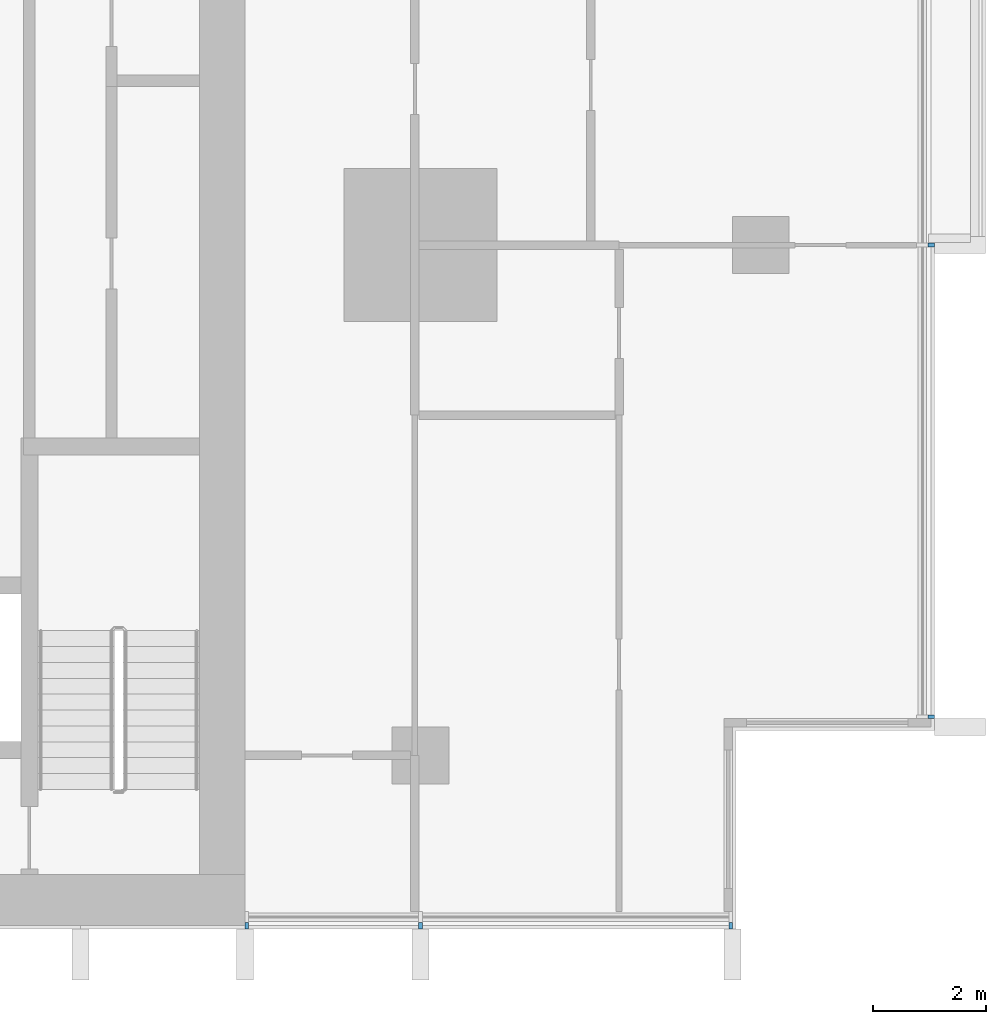
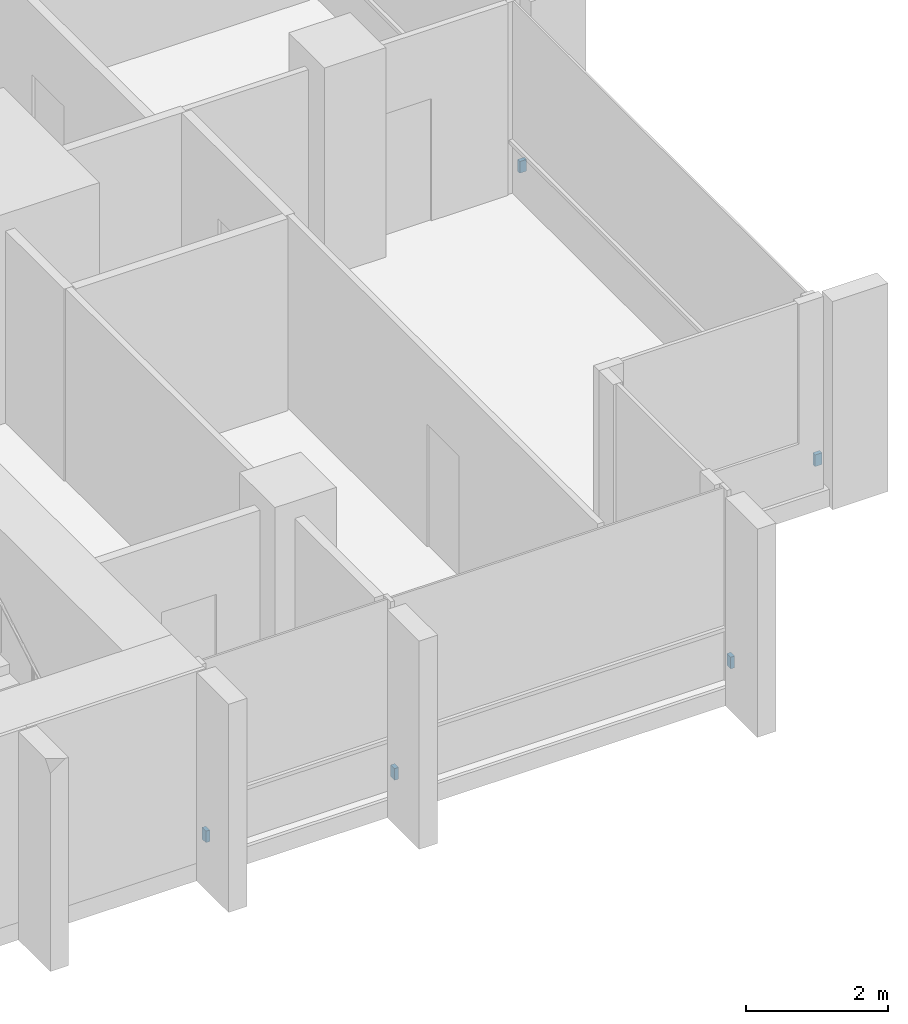
# One storey, part 14 of 17: 5 discrete accessories.
"""IFC4 building model written with IfcOpenShell, lengths in metres."""

from ifc_helpers import new_model, si_unit, direction, frame, origin, origin_2d, place, context, subcontext, project, spatial, rectangle, extrude, material, type_object, element, save


model = new_model("IFC4")

# Units and contexts
model_context = context("Model", 3, precision=1e-05, world=origin(), true_north=direction((0.0, 1.0)))
body_context = subcontext(model_context, "Body", "Model", "MODEL_VIEW")
ifc_project = project(units=[si_unit("LENGTHUNIT", "METRE"), si_unit("AREAUNIT", "SQUARE_METRE"), si_unit("VOLUMEUNIT", "CUBIC_METRE"), si_unit("PLANEANGLEUNIT", "RADIAN"), si_unit("MASSUNIT", "GRAM", prefix="KILO")], contexts=[model_context])

# Site, building, storey
site_placement = place(None, origin())
site = spatial("IfcSite", under=ifc_project, at=site_placement, CompositionType="ELEMENT")
building_placement = place(site_placement, origin())
building = spatial("IfcBuilding", under=site, at=building_placement, Name="Finial Court Residences", CompositionType="ELEMENT")
storey_placement = place(building_placement, frame((0.0, 0.0, 99.10009765625)))
storey = spatial("IfcBuildingStorey", under=building, at=storey_placement, Name="L24", CompositionType="ELEMENT", Elevation=99.10009765625)

# Discrete accessories
ifc_material = material(Name="Stainless steel 316", Category="steel")
discrete_accessory_type = type_object("IfcDiscreteAccessoryType", Name="Fin bracket, stainless steel 65 x 110 x 200", PredefinedType="BRACKET", material=ifc_material)
for number, where, z_axis, x_axis, name in (
    (1, (25.5048828125, -21.8173828125, 0.2998046875), (0.0, 0.0, 1.0), (1.0, 0.0, 0.0), "E-L24-FIN-E9-BRK"),
    (2, (25.5048828125, -13.5, 0.2998046875), (0.0, 0.0, 1.0), (1.0, 0.0, 0.0), "E-L24-FIN-E10-BRK"),
):
    element("IfcDiscreteAccessory", number, at=place(storey_placement, frame(where, z_axis=z_axis, x_axis=x_axis)), inside=storey, type_object=discrete_accessory_type, Name=name, PredefinedType="BRACKET", context=body_context, shape_type="SweptSolid", body=[
        extrude(rectangle(XDim=0.110107421875, YDim=0.06494140625, at=origin_2d()), origin(), (0.0, 0.0, 1.0), 0.199951171875),
    ])
for number, where, z_axis, x_axis, name in (
    (3, (13.4326171875, -25.5048828125, 0.2998046875), (0.0, 0.0, 1.0), (1.0, 0.0, 0.0), "E-L24-FIN-S23-BRK"),
    (4, (16.5, -25.5048828125, 0.2998046875), (0.0, 0.0, 1.0), (1.0, 0.0, 0.0), "E-L24-FIN-S24-BRK"),
    (5, (21.967529296875, -25.5048828125, 0.2998046875), (0.0, 0.0, 1.0), (1.0, 0.0, 0.0), "E-L24-FIN-S25-BRK"),
):
    element("IfcDiscreteAccessory", number, at=place(storey_placement, frame(where, z_axis=z_axis, x_axis=x_axis)), inside=storey, type_object=discrete_accessory_type, Name=name, PredefinedType="BRACKET", context=body_context, shape_type="SweptSolid", body=[
        extrude(rectangle(XDim=0.06494140625, YDim=0.110107421875, at=origin_2d()), origin(), (0.0, 0.0, 1.0), 0.199951171875),
    ])

save(model, "model.ifc")
